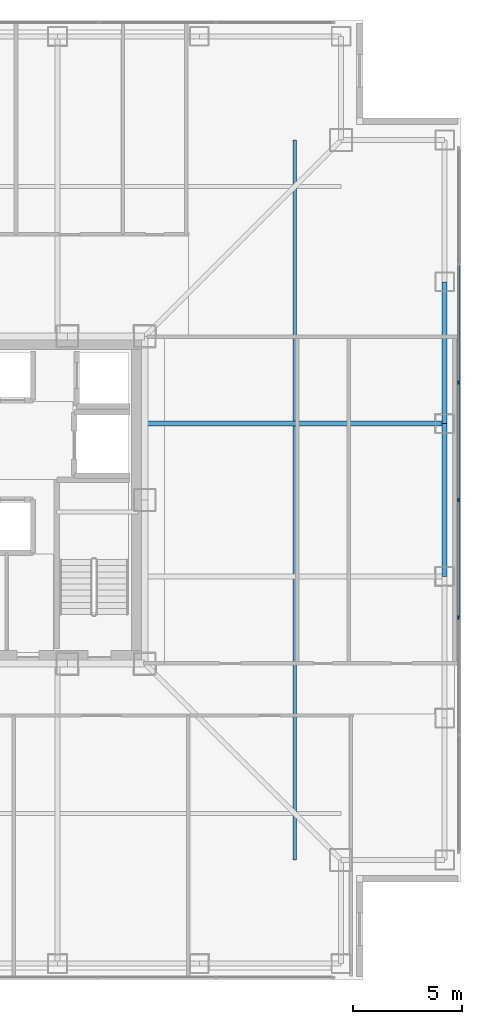
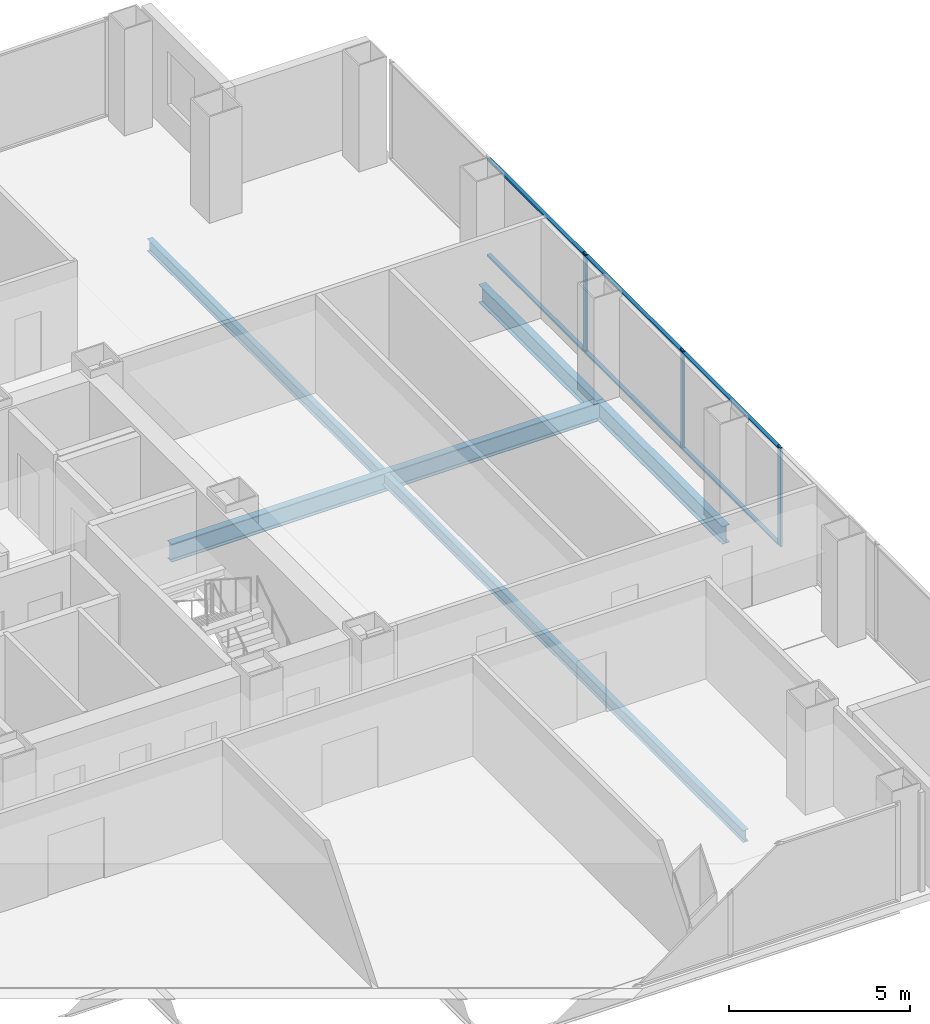
# One storey, part 8 of 17: 9 members, 4 beams, 1 element without a shape of its own.
"""IFC4 building model written with IfcOpenShell, lengths in metres."""

import ifcopenshell
import ifcopenshell.guid

model = None  # the IFC model being written
_history = None  # IfcOwnerHistory: only IFC2X3 demands one
_inside = {}  # id of a spatial element -> (the spatial element, [elements in it])
_under = {}  # id of a project, library or spatial element -> (it, [spatial elements below it])
_declared = {}  # id of a project -> (the project, [libraries it declares])
_typed = {}  # id of a type object -> (the type object, [elements of that type])
_made_of = {}  # id of a material, layer set ... -> (it, [elements and type objects made of it])


def new_model(schema):
    """Start an empty IFC model of exactly this schema.

    Asked for "IFC4X3", IfcOpenShell would pick the latest addendum, in which some entities
    have other attributes; the version numbers below select the first issue.
    IFC2X3 requires an IfcOwnerHistory on every rooted entity: one is made here for all.
    """
    global model, _history
    if schema == "IFC4X3":
        model = ifcopenshell.file(schema_version=(4, 3, 0, 0))
    else:
        model = ifcopenshell.file(schema=schema)
    _inside.clear()
    _under.clear()
    _declared.clear()
    _typed.clear()
    _made_of.clear()
    _history = None
    if model.schema == "IFC2X3":
        org = make("IfcOrganization", Name="unknown")
        user = make(
            "IfcPersonAndOrganization",
            ThePerson=make("IfcPerson", FamilyName="unknown"),
            TheOrganization=org,
        )
        app = make(
            "IfcApplication",
            ApplicationDeveloper=org,
            Version="unknown",
            ApplicationFullName="unknown",
            ApplicationIdentifier="unknown",
        )
        _history = make(
            "IfcOwnerHistory",
            OwningUser=user,
            OwningApplication=app,
            ChangeAction="ADDED",
            CreationDate=0,
        )
    return model


def make(cls, **values):
    """One entity of the class cls with the attributes given. An attribute that is None is left unset."""
    return model.create_entity(
        cls, **{name: value for name, value in values.items() if value is not None}
    )


def rooted(cls, **values):
    """An entity with a GlobalId (a new one), such as an element, a storey or a relation."""
    return make(cls, GlobalId=ifcopenshell.guid.new(), OwnerHistory=_history, **values)


def si_unit(unit_type, name, prefix=None):
    """IfcSIUnit, for example si_unit("LENGTHUNIT", "METRE", prefix="MILLI")."""
    return make("IfcSIUnit", UnitType=unit_type, Prefix=prefix, Name=name)


def assignment(units):
    """IfcUnitAssignment: the units of a project."""
    return None if units is None else make("IfcUnitAssignment", Units=units)


def point(xyz):
    """IfcCartesianPoint."""
    return None if xyz is None else make("IfcCartesianPoint", Coordinates=xyz)


def direction(xyz):
    """IfcDirection."""
    return None if xyz is None else make("IfcDirection", DirectionRatios=xyz)


def frame(location, z_axis=None, x_axis=None):
    """IfcAxis2Placement3D, a coordinate frame: its origin and axes. An axis left out is left unset."""
    return make(
        "IfcAxis2Placement3D",
        Location=point(location),
        Axis=direction(z_axis),
        RefDirection=direction(x_axis),
    )


def frame_2d(location, x_axis=None):
    """IfcAxis2Placement2D, a coordinate frame in the plane: its origin and x axis."""
    return make(
        "IfcAxis2Placement2D", Location=point(location), RefDirection=direction(x_axis)
    )


def origin():
    """The frame at (0, 0, 0) with its axes left unset."""
    return frame((0.0, 0.0, 0.0))


def origin_2d():
    """The frame at (0, 0) in the plane with its x axis left unset."""
    return frame_2d((0.0, 0.0))


def place(relative_to, where):
    """IfcLocalPlacement: puts the frame where relative to a parent placement (None: the world)."""
    return make(
        "IfcLocalPlacement", PlacementRelTo=relative_to, RelativePlacement=where
    )


def context(
    kind, dimensions, precision=None, world=None, true_north=None, identifier=None
):
    """IfcGeometricRepresentationContext, for example the 3D "Model" context."""
    return make(
        "IfcGeometricRepresentationContext",
        ContextIdentifier=identifier,
        ContextType=kind,
        CoordinateSpaceDimension=dimensions,
        Precision=precision,
        WorldCoordinateSystem=world,
        TrueNorth=true_north,
    )


def subcontext(parent, identifier, kind, view, scale=None):
    """IfcGeometricRepresentationSubContext, for example "Body" below "Model"."""
    return make(
        "IfcGeometricRepresentationSubContext",
        ContextIdentifier=identifier,
        ContextType=kind,
        ParentContext=parent,
        TargetScale=scale,
        TargetView=view,
    )


def project(units=None, contexts=None):
    """IfcProject with its units and contexts."""
    return rooted(
        "IfcProject",
        Name="project",
        RepresentationContexts=contexts,
        UnitsInContext=assignment(units),
    )


def spatial(cls, under=None, at=None, **own):
    """A site, building, storey or space (cls), placed at a placement, below another one or the project."""
    s = rooted(cls, ObjectPlacement=at, **own)
    if under is not None:
        _under.setdefault(under.id(), (under, []))[1].append(s)
    return s


def profile(cls, at=None, kind="AREA", **sizes):
    """A parametric profile (cls). Its sizes go by their IFC names, for example OverallWidth=200.0."""
    return make(cls, ProfileType=kind, Position=at, **sizes)


def rectangle(**sizes):
    """IfcRectangleProfileDef."""
    return profile("IfcRectangleProfileDef", **sizes)


def i_section(**sizes):
    """IfcIShapeProfileDef."""
    return profile("IfcIShapeProfileDef", **sizes)


def extrude(swept, where, along, depth):
    """IfcExtrudedAreaSolid: the profile swept, set in the frame where, extruded along a direction by depth."""
    return make(
        "IfcExtrudedAreaSolid",
        SweptArea=swept,
        Position=where,
        ExtrudedDirection=direction(along),
        Depth=depth,
    )


def shape(context_of_items, identifier, shape_type, items):
    """IfcShapeRepresentation: the items that make up one representation, for example the "Body"."""
    return make(
        "IfcShapeRepresentation",
        ContextOfItems=context_of_items,
        RepresentationIdentifier=identifier,
        RepresentationType=shape_type,
        Items=items,
    )


def material(Name=None, Category=None):
    """IfcMaterial."""
    return make("IfcMaterial", Name=Name, Category=Category)


def layer(
    of_material, thickness, ventilated=None, Name=None, Category=None, Priority=None
):
    """IfcMaterialLayer: one layer of a wall or slab, of a material (None: an air gap)."""
    return make(
        "IfcMaterialLayer",
        Material=of_material,
        LayerThickness=thickness,
        IsVentilated=ventilated,
        Name=Name,
        Category=Category,
        Priority=Priority,
    )


def layer_set(layers, Name=None):
    """IfcMaterialLayerSet."""
    return make("IfcMaterialLayerSet", MaterialLayers=layers, LayerSetName=Name)


def material_profile(
    of_material, cross_section, Name=None, Category=None, Priority=None
):
    """IfcMaterialProfile: a cross section and its material."""
    return make(
        "IfcMaterialProfile",
        Name=Name,
        Material=of_material,
        Profile=cross_section,
        Priority=Priority,
        Category=Category,
    )


def profile_set(profiles, Name=None, composite=None):
    """IfcMaterialProfileSet."""
    return make(
        "IfcMaterialProfileSet",
        Name=Name,
        MaterialProfiles=profiles,
        CompositeProfile=composite,
    )


def made_of(thing, what):
    """Note that an element or type object is made of a material, layer set ...; save() writes the relation."""
    if what is not None:
        _made_of.setdefault(what.id(), (what, []))[1].append(thing)
    return thing


def type_object(cls, material=None, **own):
    """A type object (cls), such as IfcWallType, which elements share."""
    return made_of(rooted(cls, **own), material)


def element(
    cls,
    number,
    at=None,
    inside=None,
    cuts=None,
    type_object=None,
    material=None,
    context=None,
    identifier="Body",
    shape_type=None,
    held_by="IfcProductDefinitionShape",
    body=None,
    shapes=None,
    **own,
):
    """One element of the class cls, such as IfcWall. Its Tag is "e" and its number.

    at: its placement. inside: the storey or other place that contains it. cuts: it is an
    opening in that element (IfcRelVoidsElement). A single representation is given by context,
    identifier, shape_type and body (its items); several are given by shapes. held_by: the class
    of the entity that holds the representations. save() writes the other relations.
    """
    e = rooted(cls, Tag="e%d" % number, ObjectPlacement=at, **own)
    if body is not None:
        shapes = [shape(context, identifier, shape_type, body)]
    if shapes is not None:
        e.Representation = make(held_by, Representations=shapes)
    if inside is not None:
        _inside.setdefault(inside.id(), (inside, []))[1].append(e)
    if cuts is not None:
        rooted(
            "IfcRelVoidsElement", RelatingBuildingElement=cuts, RelatedOpeningElement=e
        )
    if type_object is not None:
        _typed.setdefault(type_object.id(), (type_object, []))[1].append(e)
    return made_of(e, material)


def aggregate(whole, parts):
    """IfcRelAggregates: a whole, such as a stair, and the parts it consists of."""
    return rooted("IfcRelAggregates", RelatingObject=whole, RelatedObjects=parts)


def save(model, path):
    """Write the relations noted so far, then the file.

    IfcRelAggregates (storeys below a building ...), IfcRelContainedInSpatialStructure (elements
    in a storey), IfcRelDefinesByType, IfcRelAssociatesMaterial and IfcRelDeclares: one each for
    every whole, place, type object, material and project.
    """
    for whole, parts in _under.values():
        aggregate(whole, parts)
    for where, things in _inside.values():
        rooted(
            "IfcRelContainedInSpatialStructure",
            RelatedElements=things,
            RelatingStructure=where,
        )
    for kind, things in _typed.values():
        rooted("IfcRelDefinesByType", RelatedObjects=things, RelatingType=kind)
    for what, things in _made_of.values():
        rooted("IfcRelAssociatesMaterial", RelatedObjects=things, RelatingMaterial=what)
    for by, libraries in _declared.values():
        rooted("IfcRelDeclares", RelatingContext=by, RelatedDefinitions=libraries)
    model.write(path)


model = new_model("IFC4")

# Units and contexts
model_context = context("Model", 3, precision=1e-05, world=origin(), true_north=direction((0.0, 1.0)))
body_context = subcontext(model_context, "Body", "Model", "MODEL_VIEW")
ifc_project = project(units=[si_unit("LENGTHUNIT", "METRE"), si_unit("AREAUNIT", "SQUARE_METRE"), si_unit("VOLUMEUNIT", "CUBIC_METRE"), si_unit("PLANEANGLEUNIT", "RADIAN"), si_unit("MASSUNIT", "GRAM", prefix="KILO")], contexts=[model_context])

# Site, building, storey
site_placement = place(None, origin())
site = spatial("IfcSite", under=ifc_project, at=site_placement, CompositionType="ELEMENT")
building_placement = place(site_placement, origin())
building = spatial("IfcBuilding", under=site, at=building_placement, Name="Trevonay Congress Spire", CompositionType="ELEMENT")
storey_placement = place(building_placement, frame((0.0, 0.0, 130.0)))
storey = spatial("IfcBuildingStorey", under=building, at=storey_placement, Name="L33", CompositionType="ELEMENT", Elevation=130.0)

# Beams
ifc_material_1 = material(Name="Steel ASTM A572 Grade 50", Category="steel")
ifc_material_profile_1 = material_profile(ifc_material_1, i_section(OverallWidth=0.22998046875, OverallDepth=0.616943359375, WebThickness=0.01318359375, FlangeThickness=0.022216796875, FilletRadius=0.01611328125, at=origin_2d()), Name="W610x140")
ifc_profile_set_1 = profile_set([ifc_material_profile_1], Name="Steel ASTM A572 Grade 50")
beam_type_1 = type_object("IfcBeamType", Name="BM-GIRD-W610X140", PredefinedType="BEAM", material=ifc_profile_set_1)
beam_1_placement = place(storey_placement, frame((7.5, 3.5, -0.548583984375), z_axis=(1.0, 0.0, 0.0), x_axis=(0.0, 1.0, 0.0)))
element("IfcBeam", 1, at=beam_1_placement, inside=storey, type_object=beam_type_1, Name="L33 structural beam BM-L33-GE-P", PredefinedType="BEAM", context=body_context, shape_type="SweptSolid", body=[
    extrude(i_section(OverallWidth=0.22998046875, OverallDepth=0.616943359375, WebThickness=0.01318359375, FlangeThickness=0.022216796875, FilletRadius=0.01611328125, at=origin_2d()), origin(), (0.0, 0.0, 1.0), 13.75),
])
ifc_material_profile_2 = material_profile(ifc_material_1, i_section(OverallWidth=0.22802734375, OverallDepth=0.60791015625, WebThickness=0.01123046875, FlangeThickness=0.017333984375, FilletRadius=0.01611328125, at=origin_2d()), Name="W610x113")
ifc_profile_set_2 = profile_set([ifc_material_profile_2], Name="Steel ASTM A572 Grade 50")
beam_type_2 = type_object("IfcBeamType", Name="BM-RING-W610X113", PredefinedType="BEAM", material=ifc_profile_set_2)
beam_2_placement = place(storey_placement, frame((21.25, -3.5, -0.5439453125), z_axis=(0.0, 1.0, 0.0), x_axis=(-1.0, 0.0, 0.0)))
element("IfcBeam", 2, at=beam_2_placement, inside=storey, type_object=beam_type_2, Name="L33 structural beam BM-L33-PE3", PredefinedType="BEAM", context=body_context, shape_type="SweptSolid", body=[
    extrude(i_section(OverallWidth=0.22802734375, OverallDepth=0.60791015625, WebThickness=0.01123046875, FlangeThickness=0.017333984375, FilletRadius=0.01611328125, at=origin_2d()), origin(), (0.0, 0.0, 1.0), 7.0),
])
beam_3_placement = place(storey_placement, frame((21.25, 3.5, -0.5439453125), z_axis=(0.0, 1.0, 0.0), x_axis=(-1.0, 0.0, 0.0)))
element("IfcBeam", 3, at=beam_3_placement, inside=storey, type_object=beam_type_2, Name="L33 structural beam BM-L33-PE4", PredefinedType="BEAM", context=body_context, shape_type="SweptSolid", body=[
    extrude(i_section(OverallWidth=0.22802734375, OverallDepth=0.60791015625, WebThickness=0.01123046875, FlangeThickness=0.017333984375, FilletRadius=0.01611328125, at=origin_2d()), origin(), (0.0, 0.0, 1.0), 6.5),
])

# Curtain wall, members
ifc_material_2 = material(Name="Pale Anodised Aluminium EN AW-6063-T6", Category="aluminium")
ifc_layer = layer(ifc_material_2, 0.175048828125, Name="Pale Anodised Aluminium EN AW-6063-T6")
ifc_layer_set = layer_set([ifc_layer], Name="Pale Anodised Aluminium EN AW-6063-T6")
curtain_wall_type = type_object("IfcCurtainWallType", Name="CW-SYS03-CONGRESS-PALE-METAL", PredefinedType="NOTDEFINED", material=ifc_layer_set)
curtain_wall_placement = place(storey_placement, origin())
curtain_wall = element("IfcCurtainWall", 4, at=curtain_wall_placement, inside=storey, type_object=curtain_wall_type, Name="L33 E unitised curtain wall", PredefinedType="NOTDEFINED")
ifc_material_profile_3 = material_profile(ifc_material_2, rectangle(XDim=0.06005859375, YDim=0.159912109375, at=origin_2d()), Name="CW-MULLION-160-ALUMINIUM")
ifc_profile_set_3 = profile_set([ifc_material_profile_3], Name="Pale Anodised Aluminium EN AW-6063-T6")
member_type_1 = type_object("IfcMemberType", Name="CW-MULLION-160-ALUMINIUM", PredefinedType="MULLION", material=ifc_profile_set_3)
member_1_placement = place(storey_placement, frame((21.8798828125, -5.38330078125, 0.0), z_axis=(0.0, 0.0, 1.0), x_axis=(-1.0, 0.0, 0.0)))
member_1 = element("IfcMember", 5, at=member_1_placement, type_object=member_type_1, Name="CW03 mullion 3", PredefinedType="MULLION", context=body_context, shape_type="SweptSolid", body=[
    extrude(rectangle(XDim=0.06005859375, YDim=0.159912109375, at=origin_2d()), origin(), (0.0, 0.0, 1.0), 3.360107421875),
])
member_2_placement = place(storey_placement, frame((21.8798828125, 0.0, 0.0), z_axis=(0.0, 0.0, 1.0), x_axis=(-1.0, 0.0, 0.0)))
member_2 = element("IfcMember", 6, at=member_2_placement, type_object=member_type_1, Name="CW03 mullion 4", PredefinedType="MULLION", context=body_context, shape_type="SweptSolid", body=[
    extrude(rectangle(XDim=0.06005859375, YDim=0.159912109375, at=origin_2d()), origin(), (0.0, 0.0, 1.0), 3.360107421875),
])
member_3_placement = place(storey_placement, frame((21.8798828125, 5.38330078125, 0.0), z_axis=(0.0, 0.0, 1.0), x_axis=(-1.0, 0.0, 0.0)))
member_3 = element("IfcMember", 7, at=member_3_placement, type_object=member_type_1, Name="CW03 mullion 5", PredefinedType="MULLION", context=body_context, shape_type="SweptSolid", body=[
    extrude(rectangle(XDim=0.06005859375, YDim=0.159912109375, at=origin_2d()), origin(), (0.0, 0.0, 1.0), 3.360107421875),
])
ifc_material_profile_4 = material_profile(ifc_material_2, rectangle(XDim=0.1201171875, YDim=0.06005859375, at=origin_2d()), Name="CW-TRANSOM-120-ALUMINIUM")
ifc_profile_set_4 = profile_set([ifc_material_profile_4], Name="Pale Anodised Aluminium EN AW-6063-T6")
member_type_2 = type_object("IfcMemberType", Name="CW-TRANSOM-120-ALUMINIUM", PredefinedType="USERDEFINED", material=ifc_profile_set_4)
member_4_placement = place(storey_placement, frame((21.8798828125, -5.353271484375, 0.06005859375), z_axis=(0.0, 1.0, 0.0), x_axis=(-1.0, 0.0, 0.0)))
member_4 = element("IfcMember", 8, at=member_4_placement, type_object=member_type_2, Name="CW03 transom 3.1", ObjectType="TRANSOM", PredefinedType="USERDEFINED", context=body_context, shape_type="SweptSolid", body=[
    extrude(rectangle(XDim=0.1201171875, YDim=0.06005859375, at=origin_2d()), origin(), (0.0, 0.0, 1.0), 5.3232421875),
])
member_5_placement = place(storey_placement, frame((21.8798828125, -5.353271484375, 3.300048828125), z_axis=(0.0, 1.0, 0.0), x_axis=(-1.0, 0.0, 0.0)))
member_5 = element("IfcMember", 9, at=member_5_placement, type_object=member_type_2, Name="CW03 transom 3.2", ObjectType="TRANSOM", PredefinedType="USERDEFINED", context=body_context, shape_type="SweptSolid", body=[
    extrude(rectangle(XDim=0.1201171875, YDim=0.06005859375, at=origin_2d()), origin(), (0.0, 0.0, 1.0), 5.3232421875),
])
member_6_placement = place(storey_placement, frame((21.8798828125, 0.030029296875, 0.06005859375), z_axis=(0.0, 1.0, 0.0), x_axis=(-1.0, 0.0, 0.0)))
member_6 = element("IfcMember", 10, at=member_6_placement, type_object=member_type_2, Name="CW03 transom 4.1", ObjectType="TRANSOM", PredefinedType="USERDEFINED", context=body_context, shape_type="SweptSolid", body=[
    extrude(rectangle(XDim=0.1201171875, YDim=0.06005859375, at=origin_2d()), origin(), (0.0, 0.0, 1.0), 5.3232421875),
])
member_7_placement = place(storey_placement, frame((21.8798828125, 0.030029296875, 3.300048828125), z_axis=(0.0, 1.0, 0.0), x_axis=(-1.0, 0.0, 0.0)))
member_7 = element("IfcMember", 11, at=member_7_placement, type_object=member_type_2, Name="CW03 transom 4.2", ObjectType="TRANSOM", PredefinedType="USERDEFINED", context=body_context, shape_type="SweptSolid", body=[
    extrude(rectangle(XDim=0.1201171875, YDim=0.06005859375, at=origin_2d()), origin(), (0.0, 0.0, 1.0), 5.3232421875),
])
member_8_placement = place(storey_placement, frame((21.8798828125, 5.413330078125, 0.06005859375), z_axis=(0.0, 1.0, 0.0), x_axis=(-1.0, 0.0, 0.0)))
member_8 = element("IfcMember", 12, at=member_8_placement, type_object=member_type_2, Name="CW03 transom 5.1", ObjectType="TRANSOM", PredefinedType="USERDEFINED", context=body_context, shape_type="SweptSolid", body=[
    extrude(rectangle(XDim=0.1201171875, YDim=0.06005859375, at=origin_2d()), origin(), (0.0, 0.0, 1.0), 5.3232421875),
])
member_9_placement = place(storey_placement, frame((21.8798828125, 5.413330078125, 3.300048828125), z_axis=(0.0, 1.0, 0.0), x_axis=(-1.0, 0.0, 0.0)))
member_9 = element("IfcMember", 13, at=member_9_placement, type_object=member_type_2, Name="CW03 transom 5.2", ObjectType="TRANSOM", PredefinedType="USERDEFINED", context=body_context, shape_type="SweptSolid", body=[
    extrude(rectangle(XDim=0.1201171875, YDim=0.06005859375, at=origin_2d()), origin(), (0.0, 0.0, 1.0), 5.3232421875),
])
aggregate(curtain_wall, [member_1, member_2, member_3, member_4, member_5, member_6, member_7, member_8, member_9])

# Beam
ifc_material_profile_5 = material_profile(ifc_material_1, i_section(OverallWidth=0.177978515625, OverallDepth=0.406982421875, WebThickness=0.0078125, FlangeThickness=0.0126953125, FilletRadius=0.012939453125, at=origin_2d()), Name="W410x60")
ifc_profile_set_5 = profile_set([ifc_material_profile_5], Name="Steel ASTM A572 Grade 50")
beam_type_3 = type_object("IfcBeamType", Name="JS-COMP-W410X60", PredefinedType="JOIST", material=ifc_profile_set_5)
beam_4_placement = place(storey_placement, frame((14.375, -16.5, -0.443603515625), z_axis=(0.0, 1.0, 0.0), x_axis=(-1.0, 0.0, 0.0)))
element("IfcBeam", 14, at=beam_4_placement, inside=storey, type_object=beam_type_3, Name="L33 structural beam JS-L33-RING-E", PredefinedType="JOIST", context=body_context, shape_type="SweptSolid", body=[
    extrude(i_section(OverallWidth=0.177978515625, OverallDepth=0.406982421875, WebThickness=0.0078125, FlangeThickness=0.0126953125, FilletRadius=0.012939453125, at=origin_2d()), origin(), (0.0, 0.0, 1.0), 33.0),
])

save(model, "model.ifc")
